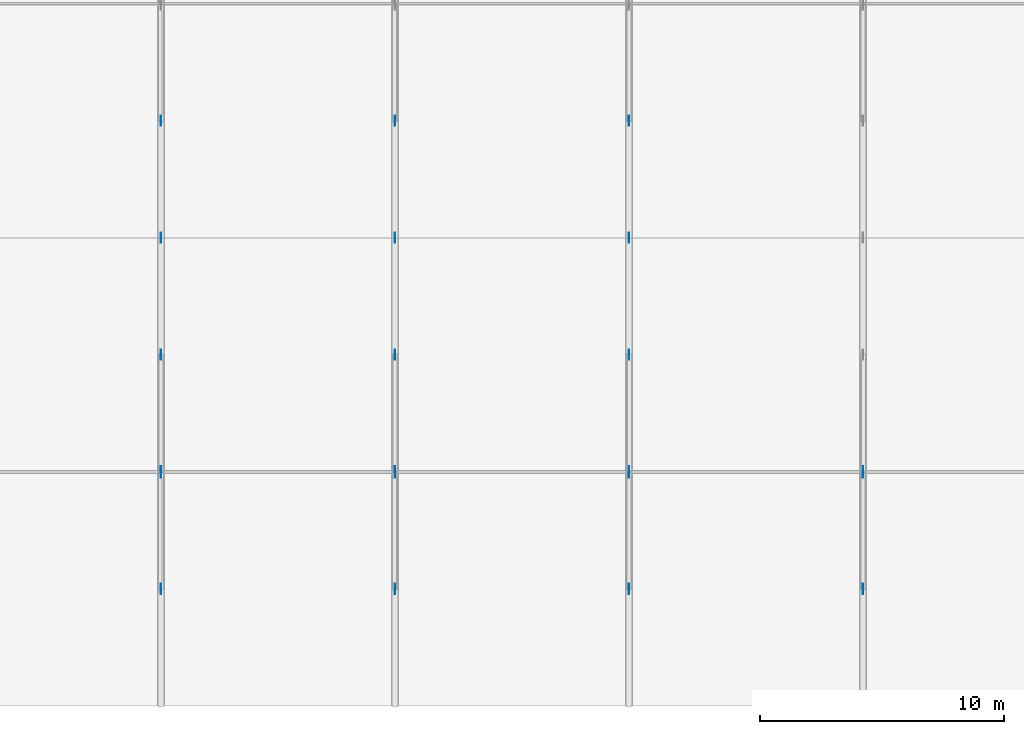
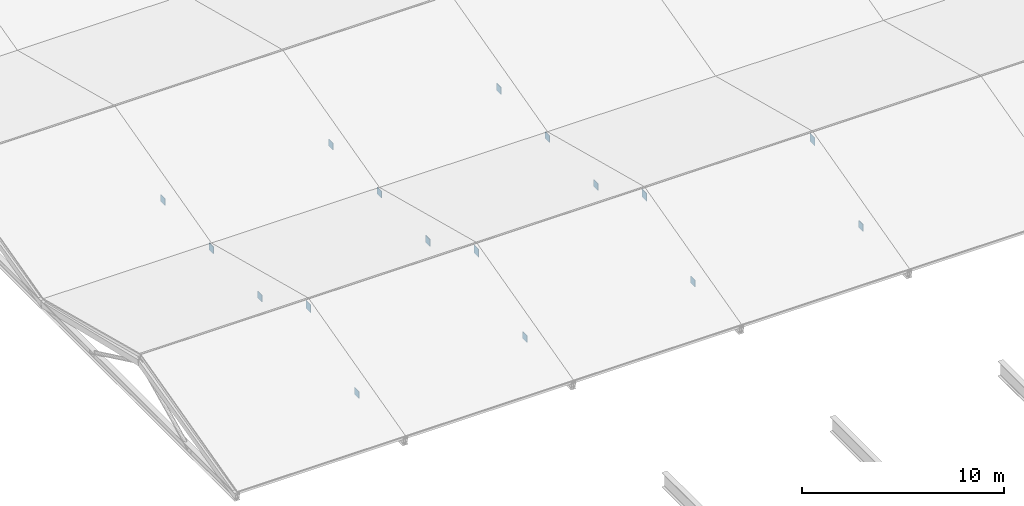
# One storey, part 26 of 52: 17 plates.
"""IFC4 building model written with IfcOpenShell, lengths in metres."""

from ifc_helpers import new_model, si_unit, direction, frame, origin, origin_2d, place, context, subcontext, project, spatial, rectangle, extrude, material, layer, layer_set, type_object, element, save


model = new_model("IFC4")

# Units and contexts
model_context = context("Model", 3, precision=1e-05, world=origin(), true_north=direction((0.0, 1.0)))
body_context = subcontext(model_context, "Body", "Model", "MODEL_VIEW")
ifc_project = project(units=[si_unit("LENGTHUNIT", "METRE"), si_unit("AREAUNIT", "SQUARE_METRE"), si_unit("VOLUMEUNIT", "CUBIC_METRE"), si_unit("PLANEANGLEUNIT", "RADIAN"), si_unit("MASSUNIT", "GRAM", prefix="KILO")], contexts=[model_context])

# Site, building, storey
site_placement = place(None, origin())
site = spatial("IfcSite", under=ifc_project, at=site_placement, CompositionType="ELEMENT")
building_placement = place(site_placement, origin())
building = spatial("IfcBuilding", under=site, at=building_placement, Name="Zarnetskaya Central Station", CompositionType="ELEMENT")
storey_placement = place(building_placement, frame((0.0, 0.0, 14.39990234375)))
storey = spatial("IfcBuildingStorey", under=building, at=storey_placement, Name="L03", CompositionType="ELEMENT", Elevation=14.39990234375)

# Plates
ifc_material = material(Name="Steel S355", Category="steel")
ifc_layer_1 = layer(ifc_material, 0.02392578125, Name="Steel S355", Category="steel")
ifc_layer_set_1 = layer_set([ifc_layer_1], Name="Steel S355")
plate_type_1 = type_object("IfcPlateType", Name="ND-GUSSET-24", PredefinedType="USERDEFINED", material=ifc_layer_set_1)
for number, where, z_axis, x_axis, name in (
    (1, (67.199951171875, 76.800048828125, 1.81005859375), (0.0, 0.0, 1.0), (1.0, 0.0, 0.0), "ROOF TRUSS SHED-SV1-02 apex gusset"),
    (2, (76.800048828125, 76.800048828125, 1.81005859375), (0.0, 0.0, 1.0), (1.0, 0.0, 0.0), "ROOF TRUSS SHED-SV1-03 apex gusset"),
    (3, (86.39990234375, 76.800048828125, 1.81005859375), (0.0, 0.0, 1.0), (1.0, 0.0, 0.0), "ROOF TRUSS SHED-SV1-04 apex gusset"),
    (4, (96.0, 76.800048828125, 1.81005859375), (0.0, 0.0, 1.0), (1.0, 0.0, 0.0), "ROOF TRUSS SHED-SV1-05 apex gusset"),
):
    element("IfcPlate", number, at=place(storey_placement, frame(where, z_axis=z_axis, x_axis=x_axis)), inside=storey, type_object=plate_type_1, Name=name, ObjectType="GUSSET PLATE", PredefinedType="USERDEFINED", context=body_context, shape_type="SweptSolid", body=[
        extrude(rectangle(XDim=0.02392578125, YDim=0.47998046875, at=origin_2d()), origin(), (0.0, 0.0, 1.0), 0.47998046875),
    ])
ifc_layer_2 = layer(ifc_material, 0.028076171875, Name="Steel S355", Category="steel")
ifc_layer_set_2 = layer_set([ifc_layer_2], Name="Steel S355")
plate_type_2 = type_object("IfcPlateType", Name="ND-GUSSET-EXT-28", PredefinedType="USERDEFINED", material=ifc_layer_set_2)
for number, where, z_axis, x_axis, name in (
    (5, (67.199951171875, 86.39990234375, -0.4599609375), (0.0, 0.0, 1.0), (1.0, 0.0, 0.0), "Structural member end gusset plate 028"),
    (6, (67.199951171875, 72.0, -0.4599609375), (0.0, 0.0, 1.0), (1.0, 0.0, 0.0), "Structural member end gusset plate 029"),
    (7, (67.199951171875, 81.60009765625, -0.4599609375), (0.0, 0.0, 1.0), (1.0, 0.0, 0.0), "Structural member end gusset plate 030"),
    (8, (76.800048828125, 86.39990234375, -0.4599609375), (0.0, 0.0, 1.0), (1.0, 0.0, 0.0), "Structural member end gusset plate 031"),
    (9, (76.800048828125, 72.0, -0.4599609375), (0.0, 0.0, 1.0), (1.0, 0.0, 0.0), "Structural member end gusset plate 032"),
    (10, (76.800048828125, 81.60009765625, -0.4599609375), (0.0, 0.0, 1.0), (1.0, 0.0, 0.0), "Structural member end gusset plate 033"),
    (11, (86.39990234375, 86.39990234375, -0.4599609375), (0.0, 0.0, 1.0), (1.0, 0.0, 0.0), "Structural member end gusset plate 034"),
    (12, (86.39990234375, 72.0, -0.4599609375), (0.0, 0.0, 1.0), (1.0, 0.0, 0.0), "Structural member end gusset plate 035"),
    (13, (86.39990234375, 81.60009765625, -0.4599609375), (0.0, 0.0, 1.0), (1.0, 0.0, 0.0), "Structural member end gusset plate 036"),
    (14, (96.0, 72.0, -0.4599609375), (0.0, 0.0, 1.0), (1.0, 0.0, 0.0), "Structural member end gusset plate 038"),
    (15, (67.199951171875, 91.199951171875, -0.4599609375), (0.0, 0.0, 1.0), (1.0, 0.0, 0.0), "Structural member end gusset plate 053"),
    (16, (76.800048828125, 91.199951171875, -0.4599609375), (0.0, 0.0, 1.0), (1.0, 0.0, 0.0), "Structural member end gusset plate 056"),
    (17, (86.39990234375, 91.199951171875, -0.4599609375), (0.0, 0.0, 1.0), (1.0, 0.0, 0.0), "Structural member end gusset plate 059"),
):
    element("IfcPlate", number, at=place(storey_placement, frame(where, z_axis=z_axis, x_axis=x_axis)), inside=storey, type_object=plate_type_2, Name=name, ObjectType="GUSSET PLATE", PredefinedType="USERDEFINED", context=body_context, shape_type="SweptSolid", body=[
        extrude(rectangle(XDim=0.028076171875, YDim=0.419921875, at=origin_2d()), origin(), (0.0, 0.0, 1.0), 0.419921875),
    ])

save(model, "model.ifc")
